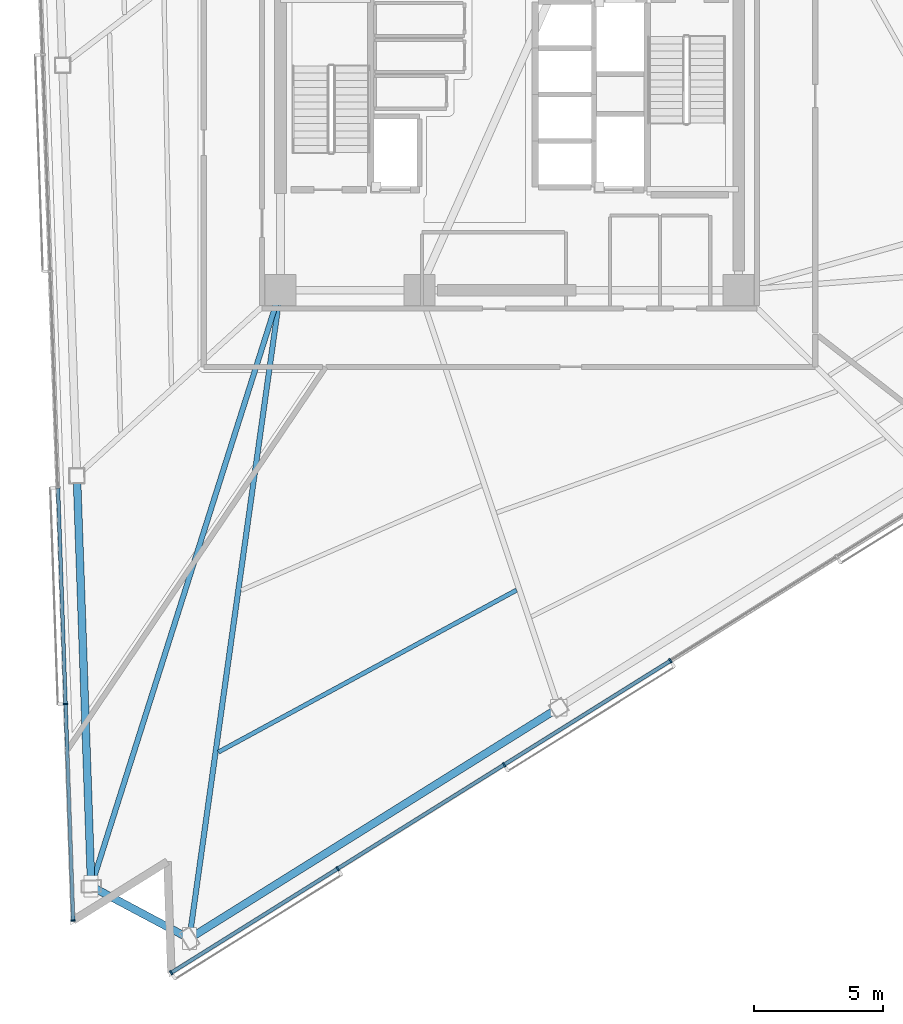
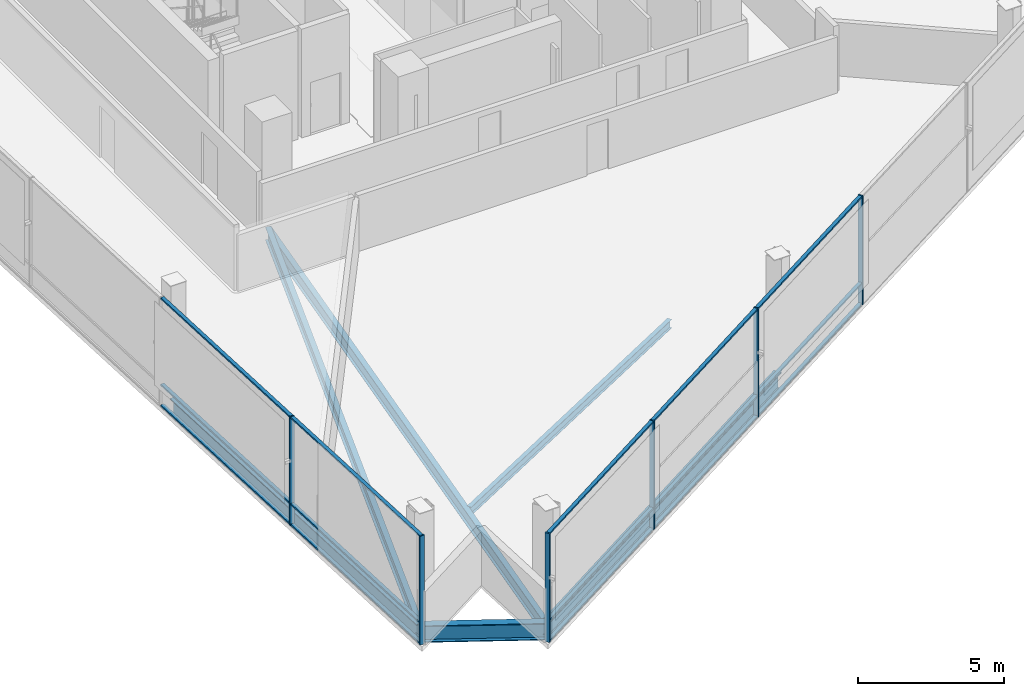
# One storey, part 2 of 19: 21 members, 6 beams, 2 elements without a shape of their own.
"""IFC4 building model written with IfcOpenShell, lengths in metres."""

from ifc_helpers import new_model, si_unit, direction, frame, origin, origin_2d, place, context, subcontext, project, spatial, rectangle, i_section, extrude, material, layer, layer_set, material_profile, profile_set, type_object, element, aggregate, save


model = new_model("IFC4")

# Units and contexts
model_context = context("Model", 3, precision=1e-05, world=origin(), true_north=direction((0.0, 1.0)))
body_context = subcontext(model_context, "Body", "Model", "MODEL_VIEW")
ifc_project = project(units=[si_unit("LENGTHUNIT", "METRE"), si_unit("AREAUNIT", "SQUARE_METRE"), si_unit("VOLUMEUNIT", "CUBIC_METRE"), si_unit("PLANEANGLEUNIT", "RADIAN"), si_unit("MASSUNIT", "GRAM", prefix="KILO")], contexts=[model_context])

# Site, building, storey
site_placement = place(None, origin())
site = spatial("IfcSite", under=ifc_project, at=site_placement, CompositionType="ELEMENT")
building_placement = place(site_placement, origin())
building = spatial("IfcBuilding", under=site, at=building_placement, Name="Tharavind Bronze Gate", CompositionType="ELEMENT")
storey_placement = place(building_placement, frame((0.0, 0.0, 160.39990234375)))
storey = spatial("IfcBuildingStorey", under=building, at=storey_placement, Name="L41", CompositionType="ELEMENT", Elevation=160.39990234375)

# Curtain wall, members
ifc_material_1 = material(Name="Anodised Bronze Aluminium", Category="aluminium")
ifc_layer = layer(ifc_material_1, 0.219970703125)
ifc_layer_set = layer_set([ifc_layer], Name="Anodised Bronze Aluminium")
curtain_wall_type = type_object("IfcCurtainWallType", Name="UNITISED CURTAIN WALL MID OFFICE", PredefinedType="USERDEFINED", material=ifc_layer_set)
curtain_wall_1_placement = place(storey_placement, origin())
curtain_wall_1 = element("IfcCurtainWall", 1, at=curtain_wall_1_placement, inside=storey, type_object=curtain_wall_type, Name="L41 unitised curtain wall mid office CW-L41-S1", ObjectType="UNITISED CURTAIN WALL", PredefinedType="USERDEFINED")
member_type_1 = type_object("IfcMemberType", Name="CURTAIN WALL BRONZE MULLION 65X180", PredefinedType="MULLION", material=ifc_material_1)
member_1_placement = place(storey_placement, frame((-17.25146484375, -23.6826171875, 0.0), z_axis=(0.0, 0.0, 1.0), x_axis=(0.034899496703, -0.999390827019, 0.0)))
member_1 = element("IfcMember", 2, at=member_1_placement, type_object=member_type_1, Name="CW-L41-S1 mullion 6", PredefinedType="MULLION", context=body_context, shape_type="SweptSolid", body=[
    extrude(rectangle(XDim=0.06494140625, YDim=0.179931640625, at=origin_2d()), origin(), (0.0, 0.0, 1.0), 4.554931640625),
])
member_2_placement = place(storey_placement, frame((-16.957763671875, -32.092041015625, 0.0), z_axis=(0.0, 0.0, 1.0), x_axis=(0.034899496703, -0.999390827019, 0.0)))
member_2 = element("IfcMember", 3, at=member_2_placement, type_object=member_type_1, Name="CW-L41-S1 mullion 7", PredefinedType="MULLION", context=body_context, shape_type="SweptSolid", body=[
    extrude(rectangle(XDim=0.06494140625, YDim=0.179931640625, at=origin_2d()), origin(), (0.0, 0.0, 1.0), 4.554931640625),
])

curtain_wall_2_placement = place(storey_placement, origin())
curtain_wall_2 = element("IfcCurtainWall", 4, at=curtain_wall_2_placement, inside=storey, type_object=curtain_wall_type, Name="L41 unitised curtain wall mid office CW-L41-S2", ObjectType="UNITISED CURTAIN WALL", PredefinedType="USERDEFINED")
member_3_placement = place(storey_placement, frame((-13.1435546875, -34.120361328125, 0.0), z_axis=(0.0, 0.0, 1.0), x_axis=(0.848048096156, 0.529919264233, 0.0)))
member_3 = element("IfcMember", 5, at=member_3_placement, type_object=member_type_1, Name="CW-L41-S2 mullion 1", PredefinedType="MULLION", context=body_context, shape_type="SweptSolid", body=[
    extrude(rectangle(XDim=0.06494140625, YDim=0.179931640625, at=origin_2d()), origin(), (0.0, 0.0, 1.0), 4.554931640625),
])
member_4_placement = place(storey_placement, frame((-6.677978515625, -30.080078125, 0.0), z_axis=(0.0, 0.0, 1.0), x_axis=(0.848048096156, 0.529919264233, 0.0)))
member_4 = element("IfcMember", 6, at=member_4_placement, type_object=member_type_1, Name="CW-L41-S2 mullion 2", PredefinedType="MULLION", context=body_context, shape_type="SweptSolid", body=[
    extrude(rectangle(XDim=0.06494140625, YDim=0.179931640625, at=origin_2d()), origin(), (0.0, 0.0, 1.0), 4.554931640625),
])
member_5_placement = place(storey_placement, frame((-0.212646484375, -26.040283203125, 0.0), z_axis=(0.0, 0.0, 1.0), x_axis=(0.848048096156, 0.529919264233, 0.0)))
member_5 = element("IfcMember", 7, at=member_5_placement, type_object=member_type_1, Name="CW-L41-S2 mullion 3", PredefinedType="MULLION", context=body_context, shape_type="SweptSolid", body=[
    extrude(rectangle(XDim=0.06494140625, YDim=0.179931640625, at=origin_2d()), origin(), (0.0, 0.0, 1.0), 4.554931640625),
])
member_6_placement = place(storey_placement, frame((6.252685546875, -22.0, 0.0), z_axis=(0.0, 0.0, 1.0), x_axis=(0.848048096156, 0.529919264233, 0.0)))
member_6 = element("IfcMember", 8, at=member_6_placement, type_object=member_type_1, Name="CW-L41-S2 mullion 4", PredefinedType="MULLION", context=body_context, shape_type="SweptSolid", body=[
    extrude(rectangle(XDim=0.06494140625, YDim=0.179931640625, at=origin_2d()), origin(), (0.0, 0.0, 1.0), 4.554931640625),
])

# Member
member_type_2 = type_object("IfcMemberType", Name="CURTAIN WALL BRONZE TRANSOM 65X140", PredefinedType="USERDEFINED", material=ifc_material_1)
member_7_placement = place(storey_placement, frame((-17.398193359375, -19.477783203125, 0.000244140625), z_axis=(0.0, 0.0, 1.0), x_axis=(0.034899496703, -0.999390827019, 0.0)))
member_7 = element("IfcMember", 9, at=member_7_placement, type_object=member_type_2, Name="CW-L41-S1 transom TB5", ObjectType="TRANSOM", PredefinedType="USERDEFINED", context=body_context, shape_type="SweptSolid", body=[
    extrude(rectangle(XDim=8.361572265625, YDim=0.139892578125, at=origin_2d()), origin(), (0.0, 0.0, 1.0), 0.06494140625),
])

member_8_placement = place(storey_placement, frame((-17.398193359375, -19.477783203125, 0.86767578125), z_axis=(0.0, 0.0, 1.0), x_axis=(0.034899496703, -0.999390827019, 0.0)))
member_8 = element("IfcMember", 10, at=member_8_placement, type_object=member_type_2, Name="CW-L41-S1 transom TS5", ObjectType="TRANSOM", PredefinedType="USERDEFINED", context=body_context, shape_type="SweptSolid", body=[
    extrude(rectangle(XDim=8.361572265625, YDim=0.139892578125, at=origin_2d()), origin(), (0.0, 0.0, 1.0), 0.06494140625),
])

member_9_placement = place(storey_placement, frame((-17.398193359375, -19.477783203125, 4.490234375), z_axis=(0.0, 0.0, 1.0), x_axis=(0.034899496703, -0.999390827019, 0.0)))
member_9 = element("IfcMember", 11, at=member_9_placement, type_object=member_type_2, Name="CW-L41-S1 transom TT5", ObjectType="TRANSOM", PredefinedType="USERDEFINED", context=body_context, shape_type="SweptSolid", body=[
    extrude(rectangle(XDim=8.361572265625, YDim=0.139892578125, at=origin_2d()), origin(), (0.0, 0.0, 1.0), 0.06494140625),
])

member_10_placement = place(storey_placement, frame((-17.1044921875, -27.887451171875, 0.000244140625), z_axis=(0.0, 0.0, 1.0), x_axis=(0.034899496703, -0.999390827019, 0.0)))
member_10 = element("IfcMember", 12, at=member_10_placement, type_object=member_type_2, Name="CW-L41-S1 transom TB6", ObjectType="TRANSOM", PredefinedType="USERDEFINED", context=body_context, shape_type="SweptSolid", body=[
    extrude(rectangle(XDim=8.361572265625, YDim=0.139892578125, at=origin_2d()), origin(), (0.0, 0.0, 1.0), 0.06494140625),
])

member_11_placement = place(storey_placement, frame((-17.1044921875, -27.887451171875, 0.86767578125), z_axis=(0.0, 0.0, 1.0), x_axis=(0.034899496703, -0.999390827019, 0.0)))
member_11 = element("IfcMember", 13, at=member_11_placement, type_object=member_type_2, Name="CW-L41-S1 transom TS6", ObjectType="TRANSOM", PredefinedType="USERDEFINED", context=body_context, shape_type="SweptSolid", body=[
    extrude(rectangle(XDim=8.361572265625, YDim=0.139892578125, at=origin_2d()), origin(), (0.0, 0.0, 1.0), 0.06494140625),
])

member_12_placement = place(storey_placement, frame((-17.1044921875, -27.887451171875, 4.490234375), z_axis=(0.0, 0.0, 1.0), x_axis=(0.034899496703, -0.999390827019, 0.0)))
member_12 = element("IfcMember", 14, at=member_12_placement, type_object=member_type_2, Name="CW-L41-S1 transom TT6", ObjectType="TRANSOM", PredefinedType="USERDEFINED", context=body_context, shape_type="SweptSolid", body=[
    extrude(rectangle(XDim=8.361572265625, YDim=0.139892578125, at=origin_2d()), origin(), (0.0, 0.0, 1.0), 0.06494140625),
])

aggregate(curtain_wall_1, [member_1, member_2, member_7, member_8, member_9, member_10, member_11, member_12])

member_13_placement = place(storey_placement, frame((-9.910888671875, -32.100341796875, 0.000244140625), z_axis=(0.0, 0.0, 1.0), x_axis=(0.848048096156, 0.529919264233, 0.0)))
member_13 = element("IfcMember", 15, at=member_13_placement, type_object=member_type_2, Name="CW-L41-S2 transom TB1", ObjectType="TRANSOM", PredefinedType="USERDEFINED", context=body_context, shape_type="SweptSolid", body=[
    extrude(rectangle(XDim=7.57080078125, YDim=0.139892578125, at=origin_2d()), origin(), (0.0, 0.0, 1.0), 0.06494140625),
])

member_14_placement = place(storey_placement, frame((-9.910888671875, -32.100341796875, 0.86767578125), z_axis=(0.0, 0.0, 1.0), x_axis=(0.848048096156, 0.529919264233, 0.0)))
member_14 = element("IfcMember", 16, at=member_14_placement, type_object=member_type_2, Name="CW-L41-S2 transom TS1", ObjectType="TRANSOM", PredefinedType="USERDEFINED", context=body_context, shape_type="SweptSolid", body=[
    extrude(rectangle(XDim=7.57080078125, YDim=0.139892578125, at=origin_2d()), origin(), (0.0, 0.0, 1.0), 0.06494140625),
])

member_15_placement = place(storey_placement, frame((-9.910888671875, -32.100341796875, 4.490234375), z_axis=(0.0, 0.0, 1.0), x_axis=(0.848048096156, 0.529919264233, 0.0)))
member_15 = element("IfcMember", 17, at=member_15_placement, type_object=member_type_2, Name="CW-L41-S2 transom TT1", ObjectType="TRANSOM", PredefinedType="USERDEFINED", context=body_context, shape_type="SweptSolid", body=[
    extrude(rectangle(XDim=7.57080078125, YDim=0.139892578125, at=origin_2d()), origin(), (0.0, 0.0, 1.0), 0.06494140625),
])

member_16_placement = place(storey_placement, frame((-3.4453125, -28.060302734375, 0.000244140625), z_axis=(0.0, 0.0, 1.0), x_axis=(0.848048096156, 0.529919264233, 0.0)))
member_16 = element("IfcMember", 18, at=member_16_placement, type_object=member_type_2, Name="CW-L41-S2 transom TB2", ObjectType="TRANSOM", PredefinedType="USERDEFINED", context=body_context, shape_type="SweptSolid", body=[
    extrude(rectangle(XDim=7.57080078125, YDim=0.139892578125, at=origin_2d()), origin(), (0.0, 0.0, 1.0), 0.06494140625),
])

member_17_placement = place(storey_placement, frame((-3.4453125, -28.060302734375, 0.86767578125), z_axis=(0.0, 0.0, 1.0), x_axis=(0.848048096156, 0.529919264233, 0.0)))
member_17 = element("IfcMember", 19, at=member_17_placement, type_object=member_type_2, Name="CW-L41-S2 transom TS2", ObjectType="TRANSOM", PredefinedType="USERDEFINED", context=body_context, shape_type="SweptSolid", body=[
    extrude(rectangle(XDim=7.57080078125, YDim=0.139892578125, at=origin_2d()), origin(), (0.0, 0.0, 1.0), 0.06494140625),
])

member_18_placement = place(storey_placement, frame((-3.4453125, -28.060302734375, 4.490234375), z_axis=(0.0, 0.0, 1.0), x_axis=(0.848048096156, 0.529919264233, 0.0)))
member_18 = element("IfcMember", 20, at=member_18_placement, type_object=member_type_2, Name="CW-L41-S2 transom TT2", ObjectType="TRANSOM", PredefinedType="USERDEFINED", context=body_context, shape_type="SweptSolid", body=[
    extrude(rectangle(XDim=7.57080078125, YDim=0.139892578125, at=origin_2d()), origin(), (0.0, 0.0, 1.0), 0.06494140625),
])

member_19_placement = place(storey_placement, frame((3.02001953125, -24.020263671875, 0.000244140625), z_axis=(0.0, 0.0, 1.0), x_axis=(0.848048096156, 0.529919264233, 0.0)))
member_19 = element("IfcMember", 21, at=member_19_placement, type_object=member_type_2, Name="CW-L41-S2 transom TB3", ObjectType="TRANSOM", PredefinedType="USERDEFINED", context=body_context, shape_type="SweptSolid", body=[
    extrude(rectangle(XDim=7.57080078125, YDim=0.139892578125, at=origin_2d()), origin(), (0.0, 0.0, 1.0), 0.06494140625),
])

member_20_placement = place(storey_placement, frame((3.02001953125, -24.020263671875, 0.86767578125), z_axis=(0.0, 0.0, 1.0), x_axis=(0.848048096156, 0.529919264233, 0.0)))
member_20 = element("IfcMember", 22, at=member_20_placement, type_object=member_type_2, Name="CW-L41-S2 transom TS3", ObjectType="TRANSOM", PredefinedType="USERDEFINED", context=body_context, shape_type="SweptSolid", body=[
    extrude(rectangle(XDim=7.57080078125, YDim=0.139892578125, at=origin_2d()), origin(), (0.0, 0.0, 1.0), 0.06494140625),
])

member_21_placement = place(storey_placement, frame((3.02001953125, -24.020263671875, 4.490234375), z_axis=(0.0, 0.0, 1.0), x_axis=(0.848048096156, 0.529919264233, 0.0)))
member_21 = element("IfcMember", 23, at=member_21_placement, type_object=member_type_2, Name="CW-L41-S2 transom TT3", ObjectType="TRANSOM", PredefinedType="USERDEFINED", context=body_context, shape_type="SweptSolid", body=[
    extrude(rectangle(XDim=7.57080078125, YDim=0.139892578125, at=origin_2d()), origin(), (0.0, 0.0, 1.0), 0.06494140625),
])

aggregate(curtain_wall_2, [member_3, member_4, member_5, member_6, member_13, member_14, member_15, member_16, member_17, member_18, member_19, member_20, member_21])

# Beams
ifc_material_2 = material(Name="Steel S355", Category="steel")
ifc_material_profile_1 = material_profile(ifc_material_2, i_section(OverallWidth=0.2099609375, OverallDepth=0.550048828125, WebThickness=0.010986328125, FlangeThickness=0.01708984375, at=origin_2d()), Name="IPE550")
ifc_profile_set_1 = profile_set([ifc_material_profile_1], Name="Steel S355")
beam_type_1 = type_object("IfcBeamType", Name="PRIMARY GIRDER IPE550", PredefinedType="USERDEFINED", material=ifc_profile_set_1)
beam_1_placement = place(storey_placement, frame((-16.253662109375, -30.767578125, -0.46484375), z_axis=(0.302541909504, 0.953136083146, 0.0), x_axis=(-0.953136083146, 0.302541909504, 0.0)))
element("IfcBeam", 24, at=beam_1_placement, inside=storey, type_object=beam_type_1, Name="L41 primary girder ipe550 BM-L41-RAD04", ObjectType="GIRDER", PredefinedType="USERDEFINED", context=body_context, shape_type="SweptSolid", body=[
    extrude(i_section(OverallWidth=0.2099609375, OverallDepth=0.550048828125, WebThickness=0.010986328125, FlangeThickness=0.01708984375, at=origin_2d()), origin(), (0.0, 0.0, 1.0), 24.306640625),
])
beam_2_placement = place(storey_placement, frame((-12.439208984375, -32.7958984375, -0.46484375), z_axis=(0.139106336947, 0.990277449517, 0.0), x_axis=(-0.990277449517, 0.139106336947, 0.0)))
element("IfcBeam", 25, at=beam_2_placement, inside=storey, type_object=beam_type_1, Name="L41 primary girder ipe550 BM-L41-RAD05", ObjectType="GIRDER", PredefinedType="USERDEFINED", context=body_context, shape_type="SweptSolid", body=[
    extrude(i_section(OverallWidth=0.2099609375, OverallDepth=0.550048828125, WebThickness=0.010986328125, FlangeThickness=0.01708984375, at=origin_2d()), origin(), (0.0, 0.0, 1.0), 25.443115234375),
])
ifc_material_profile_2 = material_profile(ifc_material_2, i_section(OverallWidth=0.300048828125, OverallDepth=0.699951171875, WebThickness=0.01708984375, FlangeThickness=0.031982421875, at=origin_2d()), Name="HE700B")
ifc_profile_set_2 = profile_set([ifc_material_profile_2], Name="Steel S355")
beam_type_2 = type_object("IfcBeamType", Name="RING GIRDER HE700B", PredefinedType="USERDEFINED", material=ifc_profile_set_2)
beam_3_placement = place(storey_placement, frame((-16.810791015625, -14.814208984375, -0.539794921875), z_axis=(0.034901059648, -0.999390772439, 0.0), x_axis=(0.999390772439, 0.034901059648, 0.0)))
element("IfcBeam", 26, at=beam_3_placement, inside=storey, type_object=beam_type_2, Name="L41 ring girder he700b BM-L41-PRG03", ObjectType="GIRDER", PredefinedType="USERDEFINED", context=body_context, shape_type="SweptSolid", body=[
    extrude(i_section(OverallWidth=0.300048828125, OverallDepth=0.699951171875, WebThickness=0.01708984375, FlangeThickness=0.031982421875, at=origin_2d()), origin(), (0.0, 0.0, 1.0), 15.963134765625),
])
beam_4_placement = place(storey_placement, frame((-16.253662109375, -30.767578125, -0.539794921875), z_axis=(0.882934197132, -0.469496755618, 0.0), x_axis=(0.469496755618, 0.882934197132, 0.0)))
element("IfcBeam", 27, at=beam_4_placement, inside=storey, type_object=beam_type_2, Name="L41 ring girder he700b BM-L41-PRG04", ObjectType="GIRDER", PredefinedType="USERDEFINED", context=body_context, shape_type="SweptSolid", body=[
    extrude(i_section(OverallWidth=0.300048828125, OverallDepth=0.699951171875, WebThickness=0.01708984375, FlangeThickness=0.031982421875, at=origin_2d()), origin(), (0.0, 0.0, 1.0), 4.3203125),
])
beam_5_placement = place(storey_placement, frame((-12.439208984375, -32.7958984375, -0.539794921875), z_axis=(0.84804368744, 0.529926319589, 0.0), x_axis=(-0.529926319589, 0.84804368744, 0.0)))
element("IfcBeam", 28, at=beam_5_placement, inside=storey, type_object=beam_type_2, Name="L41 ring girder he700b BM-L41-PRG05", ObjectType="GIRDER", PredefinedType="USERDEFINED", context=body_context, shape_type="SweptSolid", body=[
    extrude(i_section(OverallWidth=0.300048828125, OverallDepth=0.699951171875, WebThickness=0.01708984375, FlangeThickness=0.031982421875, at=origin_2d()), origin(), (0.0, 0.0, 1.0), 16.923095703125),
])
ifc_material_profile_3 = material_profile(ifc_material_2, i_section(OverallWidth=0.169921875, OverallDepth=0.360107421875, WebThickness=0.008056640625, FlangeThickness=0.0126953125, at=origin_2d()), Name="IPE360")
ifc_profile_set_3 = profile_set([ifc_material_profile_3], Name="Steel S355")
beam_type_3 = type_object("IfcBeamType", Name="SECONDARY FLOOR JOIST IPE360", PredefinedType="JOIST", material=ifc_profile_set_3)
beam_6_placement = place(storey_placement, frame((-11.312255859375, -25.55078125, -0.369873046875), z_axis=(0.878664364141, 0.477439980718, 0.0), x_axis=(-0.477439980718, 0.878664364141, 0.0)))
element("IfcBeam", 29, at=beam_6_placement, inside=storey, type_object=beam_type_3, Name="L41 secondary floor joist ipe360 BM-L41-JSTB05", PredefinedType="JOIST", context=body_context, shape_type="SweptSolid", body=[
    extrude(i_section(OverallWidth=0.169921875, OverallDepth=0.360107421875, WebThickness=0.008056640625, FlangeThickness=0.0126953125, at=origin_2d()), origin(), (0.0, 0.0, 1.0), 13.184814453125),
])

save(model, "model.ifc")
